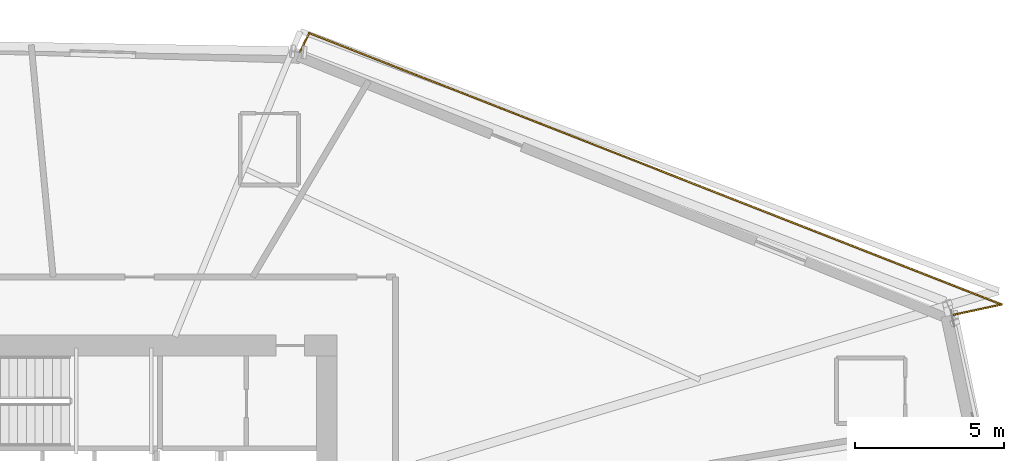
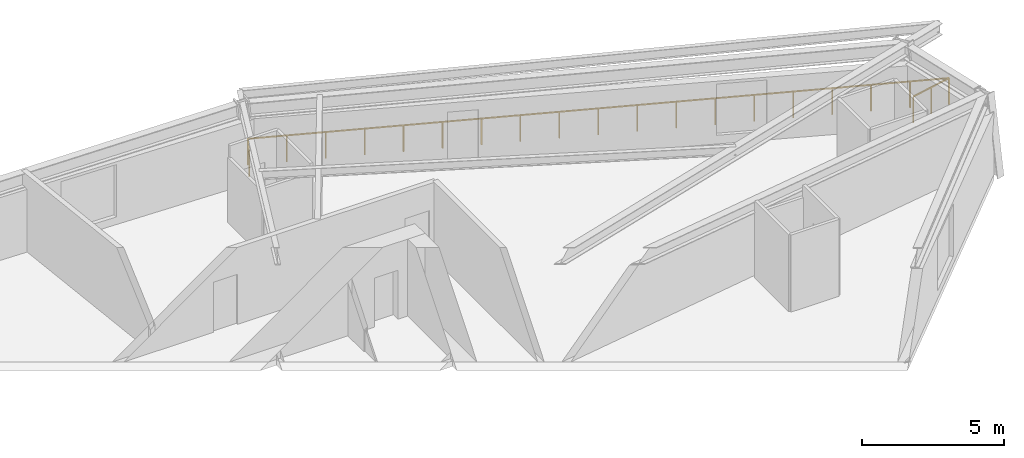
# One storey, part 19 of 19: 1 railing.
"""IFC4 building model written with IfcOpenShell, lengths in metres."""

from ifc_helpers import new_model, si_unit, direction, frame, origin, origin_2d, place, context, subcontext, project, spatial, rectangle, extrude, material, type_object, element, save


model = new_model("IFC4")

# Units and contexts
model_context = context("Model", 3, precision=1e-05, world=origin(), true_north=direction((0.0, 1.0)))
body_context = subcontext(model_context, "Body", "Model", "MODEL_VIEW")
ifc_project = project(units=[si_unit("LENGTHUNIT", "METRE"), si_unit("AREAUNIT", "SQUARE_METRE"), si_unit("VOLUMEUNIT", "CUBIC_METRE"), si_unit("PLANEANGLEUNIT", "RADIAN"), si_unit("MASSUNIT", "GRAM", prefix="KILO")], contexts=[model_context])

# Site, building, storey
site_placement = place(None, origin())
site = spatial("IfcSite", under=ifc_project, at=site_placement, CompositionType="ELEMENT")
building_placement = place(site_placement, origin())
building = spatial("IfcBuilding", under=site, at=building_placement, Name="Olszyna Solenne Hotel", CompositionType="ELEMENT")
storey_placement = place(building_placement, frame((0.0, 0.0, 84.39990234375)))
storey = spatial("IfcBuildingStorey", under=building, at=storey_placement, Name="L21", CompositionType="ELEMENT", Elevation=84.39990234375)

# Railing
ifc_material = material(Name="Anodised bronze aluminium", Category="aluminium")
railing_type = type_object("IfcRailingType", Name="GR-110", PredefinedType="BALUSTRADE", material=ifc_material)
railing_placement = place(storey_placement, frame((67.208740234375, 35.069091796875, 0.0)))
element("IfcRailing", 1, at=railing_placement, inside=storey, type_object=railing_type, Name="Loggia balcony balustrade guard GR-L21-LG1", PredefinedType="BALUSTRADE", context=body_context, shape_type="SweptSolid", body=[
    extrude(rectangle(XDim=0.048095703125, YDim=0.048095703125, at=origin_2d()), frame((0.0, 0.0, 1.1259765625), z_axis=(0.977707279404, 0.209972559636, 0.0), x_axis=(-0.209972559636, 0.977707279404, 0.0)), (0.0, 0.0, 1.0), 1.691650390625),
    extrude(rectangle(XDim=0.048095703125, YDim=0.048095703125, at=origin_2d()), frame((1.654052734375, 0.355224609375, 1.1259765625), z_axis=(-0.930951002984, 0.36514412229, 0.0), x_axis=(-0.36514412229, -0.930951002984, 0.0)), (0.0, 0.0, 1.0), 24.926025390625),
    extrude(rectangle(XDim=0.048095703125, YDim=0.048095703125, at=origin_2d()), frame((-21.55078125, 9.456787109375, 1.1259765625), z_axis=(-0.440592499636, -0.897707218008, 0.0), x_axis=(0.897707218008, -0.440592499636, 0.0)), (0.0, 0.0, 1.0), 0.709228515625),
    extrude(rectangle(XDim=0.0419921875, YDim=0.0419921875, at=origin_2d()), origin(), (0.0, 0.0, 1.0), 1.101806640625),
    extrude(rectangle(XDim=0.0419921875, YDim=0.0419921875, at=origin_2d()), frame((0.8271484375, 0.177734375, 0.0)), (0.0, 0.0, 1.0), 1.101806640625),
    extrude(rectangle(XDim=0.0419921875, YDim=0.0419921875, at=origin_2d()), frame((1.654052734375, 0.355224609375, 0.0)), (0.0, 0.0, 1.0), 1.101806640625),
    extrude(rectangle(XDim=0.0419921875, YDim=0.0419921875, at=origin_2d()), frame((0.364990234375, 0.86083984375, 0.0)), (0.0, 0.0, 1.0), 1.101806640625),
    extrude(rectangle(XDim=0.0419921875, YDim=0.0419921875, at=origin_2d()), frame((-0.92431640625, 1.366455078125, 0.0)), (0.0, 0.0, 1.0), 1.101806640625),
    extrude(rectangle(XDim=0.0419921875, YDim=0.0419921875, at=origin_2d()), frame((-2.21337890625, 1.8720703125, 0.0)), (0.0, 0.0, 1.0), 1.101806640625),
    extrude(rectangle(XDim=0.0419921875, YDim=0.0419921875, at=origin_2d()), frame((-3.502685546875, 2.377685546875, 0.0)), (0.0, 0.0, 1.0), 1.101806640625),
    extrude(rectangle(XDim=0.0419921875, YDim=0.0419921875, at=origin_2d()), frame((-4.791748046875, 2.883544921875, 0.0)), (0.0, 0.0, 1.0), 1.101806640625),
    extrude(rectangle(XDim=0.0419921875, YDim=0.0419921875, at=origin_2d()), frame((-6.080810546875, 3.38916015625, 0.0)), (0.0, 0.0, 1.0), 1.101806640625),
    extrude(rectangle(XDim=0.0419921875, YDim=0.0419921875, at=origin_2d()), frame((-7.3701171875, 3.894775390625, 0.0)), (0.0, 0.0, 1.0), 1.101806640625),
    extrude(rectangle(XDim=0.0419921875, YDim=0.0419921875, at=origin_2d()), frame((-8.6591796875, 4.400390625, 0.0)), (0.0, 0.0, 1.0), 1.101806640625),
    extrude(rectangle(XDim=0.0419921875, YDim=0.0419921875, at=origin_2d()), frame((-9.9482421875, 4.906005859375, 0.0)), (0.0, 0.0, 1.0), 1.101806640625),
    extrude(rectangle(XDim=0.0419921875, YDim=0.0419921875, at=origin_2d()), frame((-11.237548828125, 5.41162109375, 0.0)), (0.0, 0.0, 1.0), 1.101806640625),
    extrude(rectangle(XDim=0.0419921875, YDim=0.0419921875, at=origin_2d()), frame((-12.526611328125, 5.917236328125, 0.0)), (0.0, 0.0, 1.0), 1.101806640625),
    extrude(rectangle(XDim=0.0419921875, YDim=0.0419921875, at=origin_2d()), frame((-13.81591796875, 6.4228515625, 0.0)), (0.0, 0.0, 1.0), 1.101806640625),
    extrude(rectangle(XDim=0.0419921875, YDim=0.0419921875, at=origin_2d()), frame((-15.10498046875, 6.928466796875, 0.0)), (0.0, 0.0, 1.0), 1.101806640625),
    extrude(rectangle(XDim=0.0419921875, YDim=0.0419921875, at=origin_2d()), frame((-16.39404296875, 7.434326171875, 0.0)), (0.0, 0.0, 1.0), 1.101806640625),
    extrude(rectangle(XDim=0.0419921875, YDim=0.0419921875, at=origin_2d()), frame((-17.683349609375, 7.93994140625, 0.0)), (0.0, 0.0, 1.0), 1.101806640625),
    extrude(rectangle(XDim=0.0419921875, YDim=0.0419921875, at=origin_2d()), frame((-18.972412109375, 8.445556640625, 0.0)), (0.0, 0.0, 1.0), 1.101806640625),
    extrude(rectangle(XDim=0.0419921875, YDim=0.0419921875, at=origin_2d()), frame((-20.26171875, 8.951171875, 0.0)), (0.0, 0.0, 1.0), 1.101806640625),
    extrude(rectangle(XDim=0.0419921875, YDim=0.0419921875, at=origin_2d()), frame((-21.55078125, 9.456787109375, 0.0)), (0.0, 0.0, 1.0), 1.101806640625),
    extrude(rectangle(XDim=0.0419921875, YDim=0.0419921875, at=origin_2d()), frame((-21.86328125, 8.820068359375, 0.0)), (0.0, 0.0, 1.0), 1.101806640625),
])

save(model, "model.ifc")
